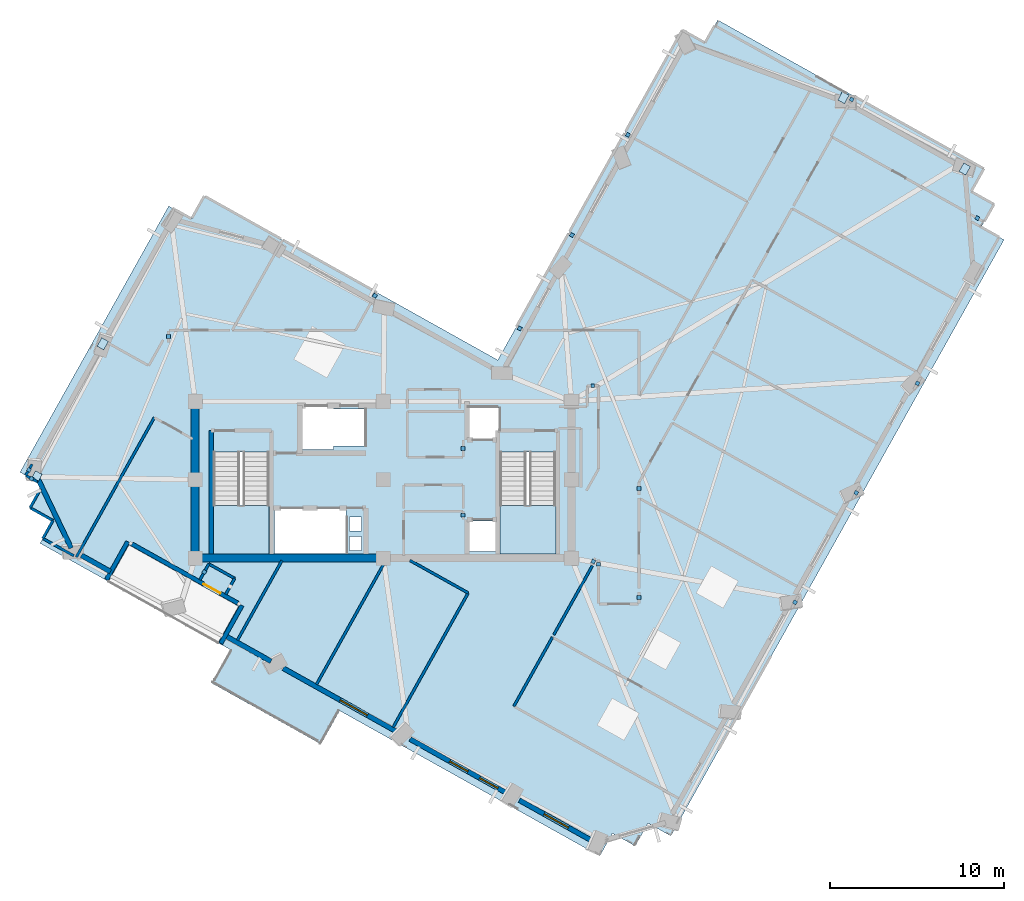
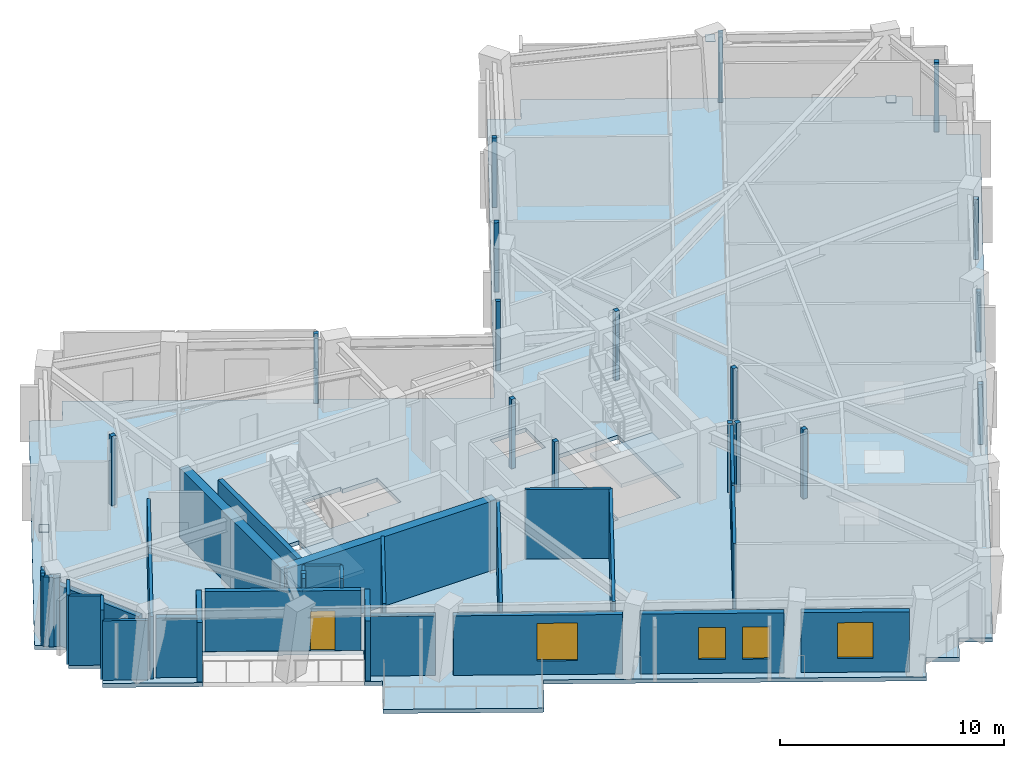
# One storey, part 3 of 11: 28 walls, 24 plates, 4 windows, 3 slabs, 1 door, 5 openings, 2 elements without a shape of their own.
"""IFC4 building model written with IfcOpenShell, lengths in metres."""

from ifc_helpers import new_model, si_unit, direction, frame, frame_2d, origin, origin_2d, place, context, subcontext, project, spatial, polyline, rectangle, outline, extrude, material, layer, layer_set, type_object, element, fill, aggregate, save


model = new_model("IFC4")

# Units and contexts
model_context = context("Model", 3, precision=1e-05, world=origin(), true_north=direction((0.0, 1.0)))
body_context = subcontext(model_context, "Body", "Model", "MODEL_VIEW")
ifc_project = project(units=[si_unit("LENGTHUNIT", "METRE"), si_unit("AREAUNIT", "SQUARE_METRE"), si_unit("VOLUMEUNIT", "CUBIC_METRE"), si_unit("PLANEANGLEUNIT", "RADIAN"), si_unit("MASSUNIT", "GRAM", prefix="KILO")], contexts=[model_context])

# Site, building, storey
site_placement = place(None, origin())
site = spatial("IfcSite", under=ifc_project, at=site_placement, CompositionType="ELEMENT")
building_placement = place(site_placement, origin())
building = spatial("IfcBuilding", under=site, at=building_placement, Name="Gaonmaruhae Medical Tower", CompositionType="ELEMENT")
storey_placement = place(building_placement, frame((0.0, 0.0, 284.60009765625)))
storey = spatial("IfcBuildingStorey", under=building, at=storey_placement, Name="L68", CompositionType="ELEMENT", Elevation=284.60009765625)

# Slab
ifc_material_1 = material(Name="Concrete C40/50", Category="concrete")
ifc_layer_1 = layer(ifc_material_1, 0.219970703125)
ifc_layer_set_1 = layer_set([ifc_layer_1], Name="Concrete C40/50")
slab_type_1 = type_object("IfcSlabType", Name="FS-220 Clinical Ward Composite Floor Slab", PredefinedType="FLOOR", material=ifc_layer_set_1)
slab_1_placement = place(storey_placement, frame((0.0, 0.0, -0.22021484375)))
element("IfcSlab", 1, at=slab_1_placement, inside=storey, type_object=slab_type_1, Name="L68 Structural Slab 1", PredefinedType="FLOOR", context=body_context, shape_type="SweptSolid", body=[
    extrude(outline(polyline([(5.83203125, 9.961181640625), (4.522705078125, 10.693115234375), (5.25439453125, 12.00244140625), (3.945068359375, 12.734130859375), (12.482666015625, 28.01025390625), (13.7919921875, 27.278564453125), (14.523681640625, 28.587890625), (31.37109375, 19.172119140625), (41.957763671875, 38.114501953125), (43.26708984375, 37.3828125), (43.998779296875, 38.692138671875), (59.27490234375, 30.154541015625), (58.543212890625, 28.84521484375), (59.8525390625, 28.113525390625), (59.120849609375, 26.80419921875), (60.43017578125, 26.072265625), (41.30615234375, -8.146240234375), (39.99658203125, -7.41455078125), (39.264892578125, -8.723876953125), (37.95556640625, -7.9921875), (37.223876953125, -9.301513671875), (22.296875, -0.958984375), (21.223388671875, -2.87939453125), (14.9384765625, 0.633056640625), (16.01171875, 2.5537109375), (15.3134765625, 2.94384765625), (16.484375, 5.038818359375), (10.19921875, 8.551513671875), (9.0283203125, 6.456298828125), (5.100341796875, 8.65185546875), (5.83203125, 9.961181640625)]), holes=[polyline([(23.550048828125, 8.25), (22.85009765625, 8.25), (22.85009765625, 9.050048828125), (23.550048828125, 9.050048828125), (23.550048828125, 8.25)]), polyline([(29.574951171875, 9.925048828125), (31.425048828125, 9.925048828125), (31.425048828125, 8.175048828125), (29.574951171875, 8.175048828125), (29.574951171875, 9.925048828125)]), polyline([(18.550048828125, 10.625), (22.64990234375, 10.625), (22.64990234375, 8.074951171875), (18.550048828125, 8.074951171875), (18.550048828125, 10.625)]), polyline([(23.550048828125, 9.35009765625), (22.85009765625, 9.35009765625), (22.85009765625, 10.14990234375), (23.550048828125, 10.14990234375), (23.550048828125, 9.35009765625)]), polyline([(15.050048828125, 13.889892578125), (18.25, 13.889892578125), (18.25, 8.300048828125), (15.050048828125, 8.300048828125), (15.050048828125, 13.889892578125)]), polyline([(31.5, 13.889892578125), (34.699951171875, 13.889892578125), (34.699951171875, 8.300048828125), (31.5, 8.300048828125), (31.5, 13.889892578125)]), polyline([(23.72509765625, 14.22509765625), (21.949951171875, 14.22509765625), (21.949951171875, 14.02490234375), (19.949951171875, 14.02490234375), (19.949951171875, 16.574951171875), (21.949951171875, 16.574951171875), (21.949951171875, 16.375), (23.72509765625, 16.375), (23.72509765625, 14.22509765625)]), polyline([(31.425048828125, 16.425048828125), (31.425048828125, 14.675048828125), (29.574951171875, 14.675048828125), (29.574951171875, 16.425048828125), (31.425048828125, 16.425048828125)])]), origin(), (0.0, 0.0, 1.0), 0.22021484375),
])

# Plates
ifc_material_2 = material(Name="Steel HSA650 (650 MPa)", Category="steel")
ifc_layer_2 = layer(ifc_material_2, 0.028076171875)
ifc_layer_set_2 = layer_set([ifc_layer_2], Name="Steel HSA650 (650 MPa)")
plate_type_1 = type_object("IfcPlateType", Name="GP-02 Tube Brace End Cap Gusset Plate", PredefinedType="USERDEFINED", material=ifc_layer_set_2)
for number, where, z_axis, x_axis, name in (
    (2, (58.177490234375, 30.137939453125, 0.23583984375), (0.0, 0.0, 1.0), (0.487859659139, 0.87292207727, 0.0), "L68 Gusset Cap Plate PLT-L68-PBR-E01A"),
    (3, (51.214599609375, 34.236572265625, 3.515625), (0.0, 0.0, 1.0), (0.473319667185, 0.880890738205, 0.0), "L68 Gusset Cap Plate PLT-L68-PBR-E01B"),
    (4, (8.69384765625, 20.10400390625, 0.23583984375), (0.0, 0.0, 1.0), (0.487859659139, 0.87292207727, 0.0), "L68 Gusset Cap Plate PLT-L68-PBR-N02A"),
    (5, (4.89404296875, 12.46826171875, 3.515625), (0.0, 0.0, 1.0), (0.473319667185, 0.880890738205, 0.0), "L68 Gusset Cap Plate PLT-L68-PBR-N02B"),
):
    element("IfcPlate", number, at=place(storey_placement, frame(where, z_axis=z_axis, x_axis=x_axis)), inside=storey, type_object=plate_type_1, Name=name, ObjectType="GUSSET_PLATE", PredefinedType="USERDEFINED", context=body_context, shape_type="SweptSolid", body=[
        extrude(rectangle(XDim=0.56005859375, YDim=0.43994140625, at=origin_2d()), origin(), (0.0, 0.0, 1.0), 0.028076171875),
    ])
ifc_material_3 = material(Name="Anodised aluminium 6063-T6", Category="aluminium")
ifc_layer_3 = layer(ifc_material_3, 0.011962890625)
ifc_layer_set_3 = layer_set([ifc_layer_3], Name="Anodised aluminium 6063-T6")
plate_type_2 = type_object("IfcPlateType", Name="PP-01 Interior Partition Corner Stiffener Plate", PredefinedType="SHEET", material=ifc_layer_set_3)
for number, where, z_axis, x_axis, name in (
    (6, (29.3798828125, 10.260009765625, 0.0), (0.0, 0.0, 1.0), (0.0, -1.0, 0.0), "L68 Partition Corner Stiffener Plate PLT-L68-JGP-PW003"),
    (7, (29.3798828125, 14.090087890625, 0.0), (0.0, 0.0, 1.0), (0.0, -1.0, 0.0), "L68 Partition Corner Stiffener Plate PLT-L68-JGP-PW009"),
    (8, (39.47998046875, 5.532470703125, 0.0), (0.0, 0.0, 1.0), (0.0, 1.0, 0.0), "L68 Partition Corner Stiffener Plate PLT-L68-JGP-PW018"),
):
    element("IfcPlate", number, at=place(storey_placement, frame(where, z_axis=z_axis, x_axis=x_axis)), inside=storey, type_object=plate_type_2, Name=name, PredefinedType="SHEET", context=body_context, shape_type="SweptSolid", body=[
        extrude(rectangle(XDim=0.219970703125, YDim=0.219970703125, at=origin_2d()), origin(), (0.0, 0.0, 1.0), 3.780029296875),
    ])
plate_1_placement = place(storey_placement, frame((48.43505859375, 5.265380859375, 0.0), z_axis=(0.0, 0.0, 1.0), x_axis=(-0.488362345216, -0.872640945507, 0.0)))
element("IfcPlate", 9, at=plate_1_placement, inside=storey, type_object=plate_type_2, Name="L68 Partition Corner Stiffener Plate PLT-L68-JGP-PW023", PredefinedType="SHEET", context=body_context, shape_type="SweptSolid", body=[
    extrude(rectangle(XDim=0.219970703125, YDim=0.219970703125, at=origin_2d()), origin(), (0.0, 0.0, 1.0), 3.264892578125),
])
plate_2_placement = place(storey_placement, frame((39.47998046875, 11.7958984375, 0.0), z_axis=(0.0, 0.0, 1.0), x_axis=(0.0, 1.0, 0.0)))
element("IfcPlate", 10, at=plate_2_placement, inside=storey, type_object=plate_type_2, Name="L68 Partition Corner Stiffener Plate PLT-L68-JGP-PW027", PredefinedType="SHEET", context=body_context, shape_type="SweptSolid", body=[
    extrude(rectangle(XDim=0.219970703125, YDim=0.219970703125, at=origin_2d()), origin(), (0.0, 0.0, 1.0), 3.31494140625),
])
for number, where, z_axis, x_axis, name in (
    (11, (51.947509765625, 11.549560546875, 0.0), (0.0, 0.0, 1.0), (-0.487570160397, -0.87308380966, 0.0), "L68 Partition Corner Stiffener Plate PLT-L68-JGP-PW031"),
    (12, (55.4599609375, 17.83447265625, 0.0), (0.0, 0.0, 1.0), (-0.487676824068, -0.873024235212, 0.0), "L68 Partition Corner Stiffener Plate PLT-L68-JGP-PW034"),
):
    element("IfcPlate", number, at=place(storey_placement, frame(where, z_axis=z_axis, x_axis=x_axis)), inside=storey, type_object=plate_type_2, Name=name, PredefinedType="SHEET", context=body_context, shape_type="SweptSolid", body=[
        extrude(rectangle(XDim=0.219970703125, YDim=0.219970703125, at=origin_2d()), origin(), (0.0, 0.0, 1.0), 3.264892578125),
    ])
for number, where, z_axis, x_axis, name in (
    (13, (58.89794921875, 27.318603515625, 0.0), (0.0, 0.0, 1.0), (0.872828398852, -0.488027239155, 0.0), "L68 Partition Corner Stiffener Plate PLT-L68-JGP-PW040"),
    (14, (14.52490234375, 7.007568359375, 0.0), (0.0, 0.0, 1.0), (-0.487326330395, -0.87321993089, 0.0), "L68 Partition Corner Stiffener Plate PLT-L68-JGP-PW049"),
    (15, (4.60400390625, 12.365966796875, 0.0), (0.0, 0.0, 1.0), (-0.872640945507, 0.488362345216, 0.0), "L68 Partition Corner Stiffener Plate PLT-L68-JGP-PW053"),
    (16, (4.45556640625, 12.867919921875, 0.0), (0.0, 0.0, 1.0), (0.488316653174, 0.872666514903, 0.0), "L68 Partition Corner Stiffener Plate PLT-L68-JGP-PW054"),
    (17, (36.824951171875, 17.699951171875, 0.0), (0.0, 0.0, 1.0), (1.0, 0.0, 0.0), "L68 Partition Corner Stiffener Plate PLT-L68-JGP-PW065"),
    (18, (32.62841796875, 20.98388671875, 0.0), (0.0, 0.0, 1.0), (-0.873381486405, 0.487036732911, 0.0), "L68 Partition Corner Stiffener Plate PLT-L68-JGP-PW071"),
    (19, (35.62841796875, 26.343994140625, 0.0), (0.0, 0.0, 1.0), (0.872743208737, -0.488179569015, 0.0), "L68 Partition Corner Stiffener Plate PLT-L68-JGP-PW073"),
    (20, (38.844970703125, 32.09912109375, 0.0), (0.0, 0.0, 1.0), (0.87328796597, -0.487204401142, 0.0), "L68 Partition Corner Stiffener Plate PLT-L68-JGP-PW079"),
    (21, (24.31689453125, 22.865966796875, 0.0), (0.0, 0.0, 1.0), (-0.487204401142, -0.87328796597, 0.0), "L68 Partition Corner Stiffener Plate PLT-L68-JGP-PW089"),
    (22, (12.469970703125, 20.521484375, 0.0), (0.0, 0.0, 1.0), (0.0, -1.0, 0.0), "L68 Partition Corner Stiffener Plate PLT-L68-JGP-PW091"),
    (23, (36.85595703125, 7.6064453125, 0.0), (0.0, 0.0, 1.0), (0.48758539851, 0.873075299822, 0.0), "L68 Partition Corner Stiffener Plate PLT-L68-JGP-PW100"),
    (24, (37.14990234375, 7.45361328125, 0.0), (0.0, 0.0, 1.0), (0.0, -1.0, 0.0), "L68 Partition Corner Stiffener Plate PLT-L68-JGP-PW101"),
    (25, (51.6826171875, 34.135986328125, 0.0), (0.0, 0.0, 1.0), (0.486945269945, 0.873432483984, 0.0), "L68 Partition Corner Stiffener Plate PLT-L68-JGP-PW109"),
):
    element("IfcPlate", number, at=place(storey_placement, frame(where, z_axis=z_axis, x_axis=x_axis)), inside=storey, type_object=plate_type_2, Name=name, PredefinedType="SHEET", context=body_context, shape_type="SweptSolid", body=[
        extrude(rectangle(XDim=0.219970703125, YDim=0.219970703125, at=origin_2d()), origin(), (0.0, 0.0, 1.0), 3.780029296875),
    ])

# Stair, slab
stair_type = type_object("IfcStairType", Name="ST-T1 Primary Core Escape Dogleg Stair", PredefinedType="TWO_QUARTER_TURN_STAIR", material=ifc_material_1)
stair_1_placement = place(storey_placement, origin())
stair_1 = element("IfcStair", 26, at=stair_1_placement, inside=storey, type_object=stair_type, Name="L68 Protected Escape Stair ST-01", PredefinedType="TWO_QUARTER_TURN_STAIR")
ifc_layer_4 = layer(ifc_material_1, 0.199951171875)
ifc_layer_set_4 = layer_set([ifc_layer_4], Name="Concrete C40/50")
slab_type_2 = type_object("IfcSlabType", Name="SL-200 Stair & Ramp Intermediate Concrete Landing", PredefinedType="LANDING", material=ifc_layer_set_4)
slab_2_placement = place(storey_placement, frame((0.0, 0.0, 1.7998046875)))
slab_2 = element("IfcSlab", 27, at=slab_2_placement, type_object=slab_type_2, Name="ST-01 landing 1", PredefinedType="LANDING", context=body_context, shape_type="SweptSolid", body=[
    extrude(outline(polyline([(15.050048828125, 10.820068359375), (15.050048828125, 8.029052734375), (18.25, 8.029052734375), (18.25, 10.820068359375), (15.050048828125, 10.820068359375)])), origin(), (0.0, 0.0, 1.0), 0.2001953125),
])
aggregate(stair_1, [slab_2])

stair_2_placement = place(storey_placement, origin())
stair_2 = element("IfcStair", 28, at=stair_2_placement, inside=storey, type_object=stair_type, Name="L68 Protected Escape Stair ST-02", PredefinedType="TWO_QUARTER_TURN_STAIR")
slab_3_placement = place(storey_placement, frame((0.0, 0.0, 1.7998046875)))
slab_3 = element("IfcSlab", 29, at=slab_3_placement, type_object=slab_type_2, Name="ST-02 landing 1", PredefinedType="LANDING", context=body_context, shape_type="SweptSolid", body=[
    extrude(outline(polyline([(31.5, 10.820068359375), (31.5, 8.029052734375), (34.699951171875, 8.029052734375), (34.699951171875, 10.820068359375), (31.5, 10.820068359375)])), origin(), (0.0, 0.0, 1.0), 0.2001953125),
])
aggregate(stair_2, [slab_3])

# Walls
ifc_material_4 = material(Name="Concrete C50/60", Category="concrete")
ifc_layer_5 = layer(ifc_material_4, 0.449951171875)
ifc_layer_set_5 = layer_set([ifc_layer_5], Name="Concrete C50/60")
wall_type_1 = type_object("IfcWallType", Name="CW-450 Upper Core Shear Wall", PredefinedType="SHEAR", material=ifc_layer_set_5)
wall_1_placement = place(storey_placement, frame((14.0, 7.800048828125, 0.0), z_axis=(0.0, 0.0, 1.0), x_axis=(1.0, 0.0, 0.0)))
element("IfcWall", 30, at=wall_1_placement, inside=storey, type_object=wall_type_1, Name="L68 Core Shear Wall CSW-S1", PredefinedType="SHEAR", context=body_context, shape_type="SweptSolid", body=[
    extrude(rectangle(XDim=10.800048828125, YDim=0.449951171875, at=frame_2d((5.39990234375, 0.0))), origin(), (0.0, 0.0, 1.0), 3.77978515625),
])
wall_2_placement = place(storey_placement, frame((14.0, 16.800048828125, 0.0), z_axis=(0.0, 0.0, 1.0), x_axis=(0.0, -1.0, 0.0)))
element("IfcWall", 31, at=wall_2_placement, inside=storey, type_object=wall_type_1, Name="L68 Core Shear Wall CSW-W1", PredefinedType="SHEAR", context=body_context, shape_type="SweptSolid", body=[
    extrude(rectangle(XDim=9.0, YDim=0.449951171875, at=frame_2d((4.5, 0.0))), origin(), (0.0, 0.0, 1.0), 3.77978515625),
])

# Wall, opening, door
ifc_material_5 = material(Name="Precast concrete C45/55", Category="concrete")
ifc_layer_6 = layer(ifc_material_5, 0.239990234375)
ifc_layer_set_6 = layer_set([ifc_layer_6], Name="Precast concrete C45/55")
wall_type_2 = type_object("IfcWallType", Name="EW-240 Ribbon & Shelter Insulated Precast Wall", PredefinedType="SOLIDWALL", material=ifc_layer_set_6)
wall_3_placement = place(storey_placement, frame((16.447998046875, 5.219482421875, 0.0), z_axis=(0.0, 0.0, 1.0), x_axis=(-0.872926787091, 0.487851231811, 0.0)))
wall_3 = element("IfcWall", 32, at=wall_3_placement, inside=storey, type_object=wall_type_2, Name="L68 Recessed Terrace Enclosure Wall TERB", PredefinedType="SOLIDWALL", context=body_context, shape_type="SweptSolid", body=[
    extrude(rectangle(XDim=6.960205078125, YDim=0.239990234375, at=frame_2d((3.47998046875, 0.0))), origin(), (0.0, 0.0, 1.0), 3.264892578125),
])
opening_1_placement = place(wall_3_placement, frame((1.15087890625, 0.0, 0.0)))
opening_1 = element("IfcOpeningElement", 33, at=opening_1_placement, cuts=wall_3, Name="Opening TD-01", PredefinedType="OPENING", context=body_context, shape_type="SweptSolid", body=[
    extrude(rectangle(XDim=1.10009765625, YDim=2.14990234375, at=frame_2d((0.550048828125, 1.074951171875))), frame((0.0, 0.1298828125, 0.0), z_axis=(0.0, -1.0, 0.0), x_axis=(1.0, 0.0, 0.0)), (0.0, 0.0, 1.0), 0.260009765625),
])
ifc_material_6 = material(Name="Anodised aluminium and toughened safety glass", Category="aluminium")
door_type = type_object("IfcDoorType", Name="TD-01 Terrace & Sky Garden Glazed Door 1100x2150", OperationType="NOTDEFINED", PredefinedType="DOOR", material=ifc_material_6)
door_placement = place(opening_1_placement, origin())
door = element("IfcDoor", 34, at=door_placement, inside=storey, type_object=door_type, Name="L68 Outdoor Terrace Access Door SLB-L68-TER", OperationType="SINGLE_SWING_LEFT", OverallHeight=2.14990234375, OverallWidth=1.10009765625, PredefinedType="DOOR", context=body_context, shape_type="SweptSolid", body=[
    extrude(rectangle(XDim=1.10009765625, YDim=2.14990234375, at=frame_2d((0.550048828125, 1.074951171875))), frame((0.0, 0.02490234375, 0.0), z_axis=(0.0, -1.0, 0.0), x_axis=(1.0, 0.0, 0.0)), (0.0, 0.0, 1.0), 0.050048828125),
])
fill(opening_1, door)

# Walls
for number, where, z_axis, x_axis, name in (
    (35, (15.47265625, 2.900634765625, 0.0), (0.0, 0.0, 1.0), (0.487871695829, 0.872915350082, 0.0), "L68 Recessed Terrace Enclosure Wall TERL"),
    (36, (10.1279296875, 8.751708984375, 0.0), (0.0, 0.0, 1.0), (-0.487871695829, -0.872915350082, 0.0), "L68 Recessed Terrace Enclosure Wall TERR"),
):
    element("IfcWall", number, at=place(storey_placement, frame(where, z_axis=z_axis, x_axis=x_axis)), inside=storey, type_object=wall_type_2, Name=name, PredefinedType="SOLIDWALL", context=body_context, shape_type="SweptSolid", body=[
        extrude(rectangle(XDim=2.5, YDim=0.239990234375, at=frame_2d((1.25, 0.0))), origin(), (0.0, 0.0, 1.0), 3.264892578125),
    ])
ifc_layer_7 = layer(ifc_material_5, 0.280029296875)
ifc_layer_set_7 = layer_set([ifc_layer_7], Name="Precast concrete C45/55")
wall_type_3 = type_object("IfcWallType", Name="EW-280 Upper Precast Masonry-Frame Facade Wall", PredefinedType="SOLIDWALL", material=ifc_layer_set_7)
wall_4_placement = place(storey_placement, frame((6.880126953125, 8.37841796875, 0.0), z_axis=(0.0, 0.0, 1.0), x_axis=(-0.431794518494, 0.90197200278, 0.0)))
element("IfcWall", 37, at=wall_4_placement, inside=storey, type_object=wall_type_3, Name="L68 Precast Masonry-Frame Wall N03-W01", PredefinedType="SOLIDWALL", context=body_context, shape_type="SweptSolid", body=[
    extrude(rectangle(XDim=4.407958984375, YDim=0.280029296875, at=frame_2d((2.2041015625, 0.0))), origin(), (0.0, 0.0, 1.0), 3.264892578125),
])
wall_5_placement = place(storey_placement, frame((9.1396484375, 7.0244140625, 0.0), z_axis=(0.0, 0.0, 1.0), x_axis=(-0.872945079881, 0.487818498534, 0.0)))
element("IfcWall", 38, at=wall_5_placement, inside=storey, type_object=wall_type_3, Name="L68 Precast Masonry-Frame Wall W01-W02", PredefinedType="SOLIDWALL", context=body_context, shape_type="SweptSolid", body=[
    extrude(rectangle(XDim=1.913818359375, YDim=0.280029296875, at=frame_2d((0.95703125, 0.0))), origin(), (0.0, 0.0, 1.0), 3.244873046875),
])
wall_6_placement = place(storey_placement, frame((18.35791015625, 1.872314453125, 0.0), z_axis=(0.0, 0.0, 1.0), x_axis=(-0.872891499108, 0.487914368291, 0.0)))
element("IfcWall", 39, at=wall_6_placement, inside=storey, type_object=wall_type_3, Name="L68 Precast Masonry-Frame Wall W02-W03", PredefinedType="SOLIDWALL", context=body_context, shape_type="SweptSolid", body=[
    extrude(rectangle(XDim=3.000244140625, YDim=0.280029296875, at=frame_2d((1.5, 0.0))), origin(), (0.0, 0.0, 1.0), 3.244873046875),
])

# Wall, opening, window
wall_7_placement = place(storey_placement, frame((25.6494140625, -2.20263671875, 0.0), z_axis=(0.0, 0.0, 1.0), x_axis=(-0.872932558797, 0.487840904182, 0.0)))
wall_7 = element("IfcWall", 40, at=wall_7_placement, inside=storey, type_object=wall_type_3, Name="L68 Precast Masonry-Frame Wall W03-W04", PredefinedType="SOLIDWALL", context=body_context, shape_type="SweptSolid", body=[
    extrude(rectangle(XDim=7.558349609375, YDim=0.280029296875, at=frame_2d((3.779296875, 0.0))), origin(), (0.0, 0.0, 1.0), 3.244873046875),
])
opening_2_placement = place(wall_7_placement, frame((2.013427734375, 0.0, 0.75)))
opening_2 = element("IfcOpeningElement", 41, at=opening_2_placement, cuts=wall_7, Name="Opening WN-04", PredefinedType="OPENING", context=body_context, shape_type="SweptSolid", body=[
    extrude(rectangle(XDim=1.800048828125, YDim=2.050048828125, at=frame_2d((0.89990234375, 1.02490234375))), frame((0.0, 0.14990234375, 0.0), z_axis=(0.0, -1.0, 0.0), x_axis=(1.0, 0.0, 0.0)), (0.0, 0.0, 1.0), 0.300048828125),
])
ifc_material_7 = material(Name="Anodised aluminium and Low-E double glazing", Category="aluminium")
window_type_1 = type_object("IfcWindowType", Name="WN-04 Clinic & Consult Punched Window 1800x2050", PartitioningType="SINGLE_PANEL", PredefinedType="WINDOW", material=ifc_material_7)
window_1_placement = place(opening_2_placement, origin())
window_1 = element("IfcWindow", 42, at=window_1_placement, inside=storey, type_object=window_type_1, Name="L68 Modular Facade Window W03", OverallHeight=2.050048828125, OverallWidth=1.800048828125, PartitioningType="SINGLE_PANEL", PredefinedType="WINDOW", context=body_context, shape_type="SweptSolid", body=[
    extrude(rectangle(XDim=1.800048828125, YDim=2.050048828125, at=frame_2d((0.89990234375, 1.02490234375))), frame((0.0, 0.030029296875, 0.0), z_axis=(0.0, -1.0, 0.0), x_axis=(1.0, 0.0, 0.0)), (0.0, 0.0, 1.0), 0.06005859375),
])
fill(opening_2, window_1)

# Wall, openings, windows
wall_8_placement = place(storey_placement, frame((31.945556640625, -5.721435546875, 0.0), z_axis=(0.0, 0.0, 1.0), x_axis=(-0.872924920914, 0.487854571001, 0.0)))
wall_8 = element("IfcWall", 43, at=wall_8_placement, inside=storey, type_object=wall_type_3, Name="L68 Precast Masonry-Frame Wall W04-W05", PredefinedType="SOLIDWALL", context=body_context, shape_type="SweptSolid", body=[
    extrude(rectangle(XDim=6.425048828125, YDim=0.280029296875, at=frame_2d((3.21240234375, 0.0))), origin(), (0.0, 0.0, 1.0), 3.264892578125),
])
opening_3_placement = place(wall_8_placement, frame((2.6162109375, 0.0, 0.75)))
opening_3 = element("IfcOpeningElement", 44, at=opening_3_placement, cuts=wall_8, Name="Opening WN-05", PredefinedType="OPENING", context=body_context, shape_type="SweptSolid", body=[
    extrude(rectangle(XDim=1.199951171875, YDim=1.75, at=frame_2d((0.60009765625, 0.875))), frame((0.0, 0.14990234375, 0.0), z_axis=(0.0, -1.0, 0.0), x_axis=(1.0, 0.0, 0.0)), (0.0, 0.0, 1.0), 0.300048828125),
])
opening_4_placement = place(wall_8_placement, frame((0.647705078125, 0.0, 0.75)))
opening_4 = element("IfcOpeningElement", 45, at=opening_4_placement, cuts=wall_8, Name="Opening WN-05", PredefinedType="OPENING", context=body_context, shape_type="SweptSolid", body=[
    extrude(rectangle(XDim=1.199951171875, YDim=1.75, at=frame_2d((0.60009765625, 0.875))), frame((0.0, 0.14990234375, 0.0), z_axis=(0.0, -1.0, 0.0), x_axis=(1.0, 0.0, 0.0)), (0.0, 0.0, 1.0), 0.300048828125),
])
window_type_2 = type_object("IfcWindowType", Name="WN-05 Support & Staff Punched Window 1200x1750", PartitioningType="SINGLE_PANEL", PredefinedType="WINDOW", material=ifc_material_7)
window_2_placement = place(opening_3_placement, origin())
window_2 = element("IfcWindow", 46, at=window_2_placement, inside=storey, type_object=window_type_2, Name="L68 Modular Facade Window W04", OverallHeight=1.75, OverallWidth=1.199951171875, PartitioningType="SINGLE_PANEL", PredefinedType="WINDOW", context=body_context, shape_type="SweptSolid", body=[
    extrude(rectangle(XDim=1.199951171875, YDim=1.75, at=frame_2d((0.60009765625, 0.875))), frame((0.0, 0.030029296875, 0.0), z_axis=(0.0, -1.0, 0.0), x_axis=(1.0, 0.0, 0.0)), (0.0, 0.0, 1.0), 0.06005859375),
])
fill(opening_3, window_2)
window_3_placement = place(opening_4_placement, origin())
window_3 = element("IfcWindow", 47, at=window_3_placement, inside=storey, type_object=window_type_2, Name="L68 Modular Facade Window W04B", OverallHeight=1.75, OverallWidth=1.199951171875, PartitioningType="SINGLE_PANEL", PredefinedType="WINDOW", context=body_context, shape_type="SweptSolid", body=[
    extrude(rectangle(XDim=1.199951171875, YDim=1.75, at=frame_2d((0.60009765625, 0.875))), frame((0.0, 0.030029296875, 0.0), z_axis=(0.0, -1.0, 0.0), x_axis=(1.0, 0.0, 0.0)), (0.0, 0.0, 1.0), 0.06005859375),
])
fill(opening_4, window_3)

# Wall, opening, window
wall_9_placement = place(storey_placement, frame((36.8486328125, -8.461669921875, 0.0), z_axis=(0.0, 0.0, 1.0), x_axis=(-0.872937814219, 0.487831500118, 0.0)))
wall_9 = element("IfcWall", 48, at=wall_9_placement, inside=storey, type_object=wall_type_3, Name="L68 Precast Masonry-Frame Wall W05-W06", PredefinedType="SOLIDWALL", context=body_context, shape_type="SweptSolid", body=[
    extrude(rectangle(XDim=4.85546875, YDim=0.280029296875, at=frame_2d((2.427734375, 0.0))), origin(), (0.0, 0.0, 1.0), 3.264892578125),
])
opening_5_placement = place(wall_9_placement, frame((1.632568359375, 0.0, 0.75)))
opening_5 = element("IfcOpeningElement", 49, at=opening_5_placement, cuts=wall_9, Name="Opening WN-01", PredefinedType="OPENING", context=body_context, shape_type="SweptSolid", body=[
    extrude(rectangle(XDim=1.60009765625, YDim=1.949951171875, at=frame_2d((0.800048828125, 0.97509765625))), frame((0.0, 0.14990234375, 0.0), z_axis=(0.0, -1.0, 0.0), x_axis=(1.0, 0.0, 0.0)), (0.0, 0.0, 1.0), 0.300048828125),
])
window_type_3 = type_object("IfcWindowType", Name="WN-01 Ward Punched Acoustic Window 1600x1950", PartitioningType="SINGLE_PANEL", PredefinedType="WINDOW", material=ifc_material_7)
window_4_placement = place(opening_5_placement, origin())
window_4 = element("IfcWindow", 50, at=window_4_placement, inside=storey, type_object=window_type_3, Name="L68 Modular Facade Window W05", OverallHeight=1.949951171875, OverallWidth=1.60009765625, PartitioningType="SINGLE_PANEL", PredefinedType="WINDOW", context=body_context, shape_type="SweptSolid", body=[
    extrude(rectangle(XDim=1.60009765625, YDim=1.949951171875, at=frame_2d((0.800048828125, 0.97509765625))), frame((0.0, 0.030029296875, 0.0), z_axis=(0.0, -1.0, 0.0), x_axis=(1.0, 0.0, 0.0)), (0.0, 0.0, 1.0), 0.06005859375),
])
fill(opening_5, window_4)

# Walls
ifc_material_8 = material(Name="Gypsum board partition", Category="gypsum")
ifc_layer_8 = layer(ifc_material_8, 0.14990234375)
ifc_layer_set_8 = layer_set([ifc_layer_8], Name="Gypsum board partition")
wall_type_4 = type_object("IfcWallType", Name="PW-150 Rated Clinical Corridor Partition", PredefinedType="PARTITIONING", material=ifc_layer_set_8)
for number, where, z_axis, x_axis, name in (
    (51, (32.2919921875, -0.702880859375, 0.0), (0.0, 0.0, 1.0), (0.487910544746, 0.872893636319, 0.0), "L68 Interior Partition L68-SUP02-14"),
    (52, (34.5849609375, 3.39990234375, 0.0), (0.0, 0.0, 1.0), (0.487887642735, 0.872906437178, 0.0), "L68 Interior Partition L68-SUP03-21"),
):
    element("IfcWall", number, at=place(storey_placement, frame(where, z_axis=z_axis, x_axis=x_axis)), inside=storey, type_object=wall_type_4, Name=name, PredefinedType="PARTITIONING", context=body_context, shape_type="SweptSolid", body=[
        extrude(rectangle(XDim=4.5400390625, YDim=0.14990234375, at=frame_2d((2.27001953125, 0.0))), origin(), (0.0, 0.0, 1.0), 3.77978515625),
    ])
wall_10_placement = place(storey_placement, frame((29.672119140625, 5.802001953125, 0.0), z_axis=(0.0, 0.0, 1.0), x_axis=(-0.48781392599, -0.87294763509, 0.0)))
element("IfcWall", 53, at=wall_10_placement, inside=storey, type_object=wall_type_4, Name="L68 Interior Partition L68-WOF11-42", PredefinedType="PARTITIONING", context=body_context, shape_type="SweptSolid", body=[
    extrude(rectangle(XDim=8.83544921875, YDim=0.14990234375, at=frame_2d((4.417724609375, 0.0))), origin(), (0.0, 0.0, 1.0), 3.77978515625),
])
wall_11_placement = place(storey_placement, frame((20.962890625, 0.548095703125, 0.0), z_axis=(0.0, 0.0, 1.0), x_axis=(0.48783303812, 0.872936954721, 0.0)))
element("IfcWall", 54, at=wall_11_placement, inside=storey, type_object=wall_type_4, Name="L68 Interior Partition L68-WOF11-43", PredefinedType="PARTITIONING", context=body_context, shape_type="SweptSolid", body=[
    extrude(rectangle(XDim=7.9638671875, YDim=0.14990234375, at=frame_2d((3.98193359375, 0.0))), origin(), (0.0, 0.0, 1.0), 3.77978515625),
])
wall_12_placement = place(storey_placement, frame((26.321044921875, 7.675048828125, 0.0), z_axis=(0.0, 0.0, 1.0), x_axis=(0.87290046745, -0.487898323348, 0.0)))
element("IfcWall", 55, at=wall_12_placement, inside=storey, type_object=wall_type_4, Name="L68 Interior Partition L68-WOF11-44", PredefinedType="PARTITIONING", context=body_context, shape_type="SweptSolid", body=[
    extrude(rectangle(XDim=3.839111328125, YDim=0.14990234375, at=frame_2d((1.91943359375, 0.0))), origin(), (0.0, 0.0, 1.0), 3.77978515625),
])
wall_13_placement = place(storey_placement, frame((16.423095703125, 3.0849609375, 0.0), z_axis=(0.0, 0.0, 1.0), x_axis=(0.488006126724, 0.872840203176, 0.0)))
element("IfcWall", 56, at=wall_13_placement, inside=storey, type_object=wall_type_4, Name="L68 Interior Partition L68-WOF12-46", PredefinedType="PARTITIONING", context=body_context, shape_type="SweptSolid", body=[
    extrude(rectangle(XDim=5.241455078125, YDim=0.14990234375, at=frame_2d((2.62060546875, 0.0))), origin(), (0.0, 0.0, 1.0), 3.77978515625),
])
wall_14_placement = place(storey_placement, frame((15.751953125, 5.718017578125, 0.0), z_axis=(0.0, 0.0, 1.0), x_axis=(0.487489290316, 0.87312896632, 0.0)))
element("IfcWall", 57, at=wall_14_placement, inside=storey, type_object=wall_type_4, Name="L68 Interior Partition L68-WOF13-47", PredefinedType="PARTITIONING", context=body_context, shape_type="SweptSolid", body=[
    extrude(rectangle(XDim=1.0546875, YDim=0.14990234375, at=frame_2d((0.52734375, 0.0))), origin(), (0.0, 0.0, 1.0), 3.77978515625),
])
wall_15_placement = place(storey_placement, frame((16.26611328125, 6.638916015625, 0.0), z_axis=(0.0, 0.0, 1.0), x_axis=(-0.873010025358, 0.487702261246, 0.0)))
element("IfcWall", 58, at=wall_15_placement, inside=storey, type_object=wall_type_4, Name="L68 Interior Partition L68-WOF13-48", PredefinedType="PARTITIONING", context=body_context, shape_type="SweptSolid", body=[
    extrude(rectangle(XDim=1.699951171875, YDim=0.14990234375, at=frame_2d((0.85009765625, 0.0))), origin(), (0.0, 0.0, 1.0), 3.77978515625),
])
wall_16_placement = place(storey_placement, frame((14.781982421875, 7.468017578125, 0.0), z_axis=(0.0, 0.0, 1.0), x_axis=(-0.487312793444, -0.87322748545, 0.0)))
element("IfcWall", 59, at=wall_16_placement, inside=storey, type_object=wall_type_4, Name="L68 Interior Partition L68-WOF13-49", PredefinedType="PARTITIONING", context=body_context, shape_type="SweptSolid", body=[
    extrude(rectangle(XDim=1.0546875, YDim=0.14990234375, at=frame_2d((0.52734375, 0.0))), origin(), (0.0, 0.0, 1.0), 3.77978515625),
])
wall_17_placement = place(storey_placement, frame((7.177001953125, 7.85791015625, 0.0), z_axis=(0.0, 0.0, 1.0), x_axis=(0.487827318566, 0.872940151019, 0.0)))
element("IfcWall", 60, at=wall_17_placement, inside=storey, type_object=wall_type_4, Name="L68 Interior Partition L68-WCL14-51", PredefinedType="PARTITIONING", context=body_context, shape_type="SweptSolid", body=[
    extrude(rectangle(XDim=9.179443359375, YDim=0.14990234375, at=frame_2d((4.58984375, 0.0))), origin(), (0.0, 0.0, 1.0), 3.414794921875),
])
wall_18_placement = place(storey_placement, frame((4.930908203125, 12.18310546875, 0.0), z_axis=(0.0, 0.0, 1.0), x_axis=(-0.872600457628, 0.488434684833, 0.0)))
element("IfcWall", 61, at=wall_18_placement, inside=storey, type_object=wall_type_4, Name="L68 Interior Partition L68-BR01-53", PredefinedType="PARTITIONING", context=body_context, shape_type="SweptSolid", body=[
    extrude(rectangle(XDim=0.749267578125, YDim=0.14990234375, at=frame_2d((0.37451171875, 0.0))), origin(), (0.0, 0.0, 1.0), 3.77978515625),
])
wall_19_placement = place(storey_placement, frame((4.277099609375, 12.549072265625, 0.0), z_axis=(0.0, 0.0, 1.0), x_axis=(0.488277898247, 0.872688199808, 0.0)))
element("IfcWall", 62, at=wall_19_placement, inside=storey, type_object=wall_type_4, Name="L68 Interior Partition L68-BR01-54", PredefinedType="PARTITIONING", context=body_context, shape_type="SweptSolid", body=[
    extrude(rectangle(XDim=0.73095703125, YDim=0.14990234375, at=frame_2d((0.365478515625, 0.0))), origin(), (0.0, 0.0, 1.0), 3.77978515625),
])
wall_20_placement = place(storey_placement, frame((7.037109375, 7.93603515625, 0.0), z_axis=(0.0, 0.0, 1.0), x_axis=(-0.87302590864, 0.487673828336, 0.0)))
element("IfcWall", 63, at=wall_20_placement, inside=storey, type_object=wall_type_4, Name="L68 Interior Partition L68-BR01-58", PredefinedType="PARTITIONING", context=body_context, shape_type="SweptSolid", body=[
    extrude(rectangle(XDim=2.0400390625, YDim=0.14990234375, at=frame_2d((1.02001953125, 0.0))), origin(), (0.0, 0.0, 1.0), 3.244873046875),
])
wall_21_placement = place(storey_placement, frame((5.256103515625, 8.930908203125, 0.0), z_axis=(0.0, 0.0, 1.0), x_axis=(0.48802999663, 0.872826857051, 0.0)))
element("IfcWall", 64, at=wall_21_placement, inside=storey, type_object=wall_type_4, Name="L68 Interior Partition L68-BR01-59", PredefinedType="PARTITIONING", context=body_context, shape_type="SweptSolid", body=[
    extrude(rectangle(XDim=1.18017578125, YDim=0.14990234375, at=frame_2d((0.590087890625, 0.0))), origin(), (0.0, 0.0, 1.0), 3.77978515625),
])
wall_22_placement = place(storey_placement, frame((5.83203125, 9.9609375, 0.0), z_axis=(0.0, 0.0, 1.0), x_axis=(-0.872764023817, 0.488142354985, 0.0)))
element("IfcWall", 65, at=wall_22_placement, inside=storey, type_object=wall_type_4, Name="L68 Interior Partition L68-BR01-60", PredefinedType="PARTITIONING", context=body_context, shape_type="SweptSolid", body=[
    extrude(rectangle(XDim=1.5, YDim=0.14990234375, at=frame_2d((0.75, 0.0))), origin(), (0.0, 0.0, 1.0), 3.77978515625),
])
wall_23_placement = place(storey_placement, frame((4.52294921875, 10.693115234375, 0.0), z_axis=(0.0, 0.0, 1.0), x_axis=(0.487834615899, 0.872936072992, 0.0)))
element("IfcWall", 66, at=wall_23_placement, inside=storey, type_object=wall_type_4, Name="L68 Interior Partition L68-BR01-61", PredefinedType="PARTITIONING", context=body_context, shape_type="SweptSolid", body=[
    extrude(rectangle(XDim=1.238037109375, YDim=0.14990234375, at=frame_2d((0.619140625, 0.0))), origin(), (0.0, 0.0, 1.0), 3.77978515625),
])
ifc_layer_9 = layer(ifc_material_4, 0.239990234375)
ifc_layer_set_9 = layer_set([ifc_layer_9], Name="Concrete C50/60")
wall_type_5 = type_object("IfcWallType", Name="SW-240 Dogleg Stair Tight Shaft Wall", PredefinedType="SOLIDWALL", material=ifc_layer_set_9)
wall_24_placement = place(storey_placement, frame((14.919921875, 8.02490234375, 0.0), z_axis=(0.0, 0.0, 1.0), x_axis=(0.0, 1.0, 0.0)))
element("IfcWall", 67, at=wall_24_placement, inside=storey, type_object=wall_type_5, Name="L68 ST-01 Stair Shaft Wall SHW-ST-01-W", PredefinedType="SOLIDWALL", context=body_context, shape_type="SweptSolid", body=[
    extrude(rectangle(XDim=7.09521484375, YDim=0.239990234375, at=frame_2d((3.547607421875, 0.0))), origin(), (0.0, 0.0, 1.0), 3.77978515625),
])

save(model, "model.ifc")
